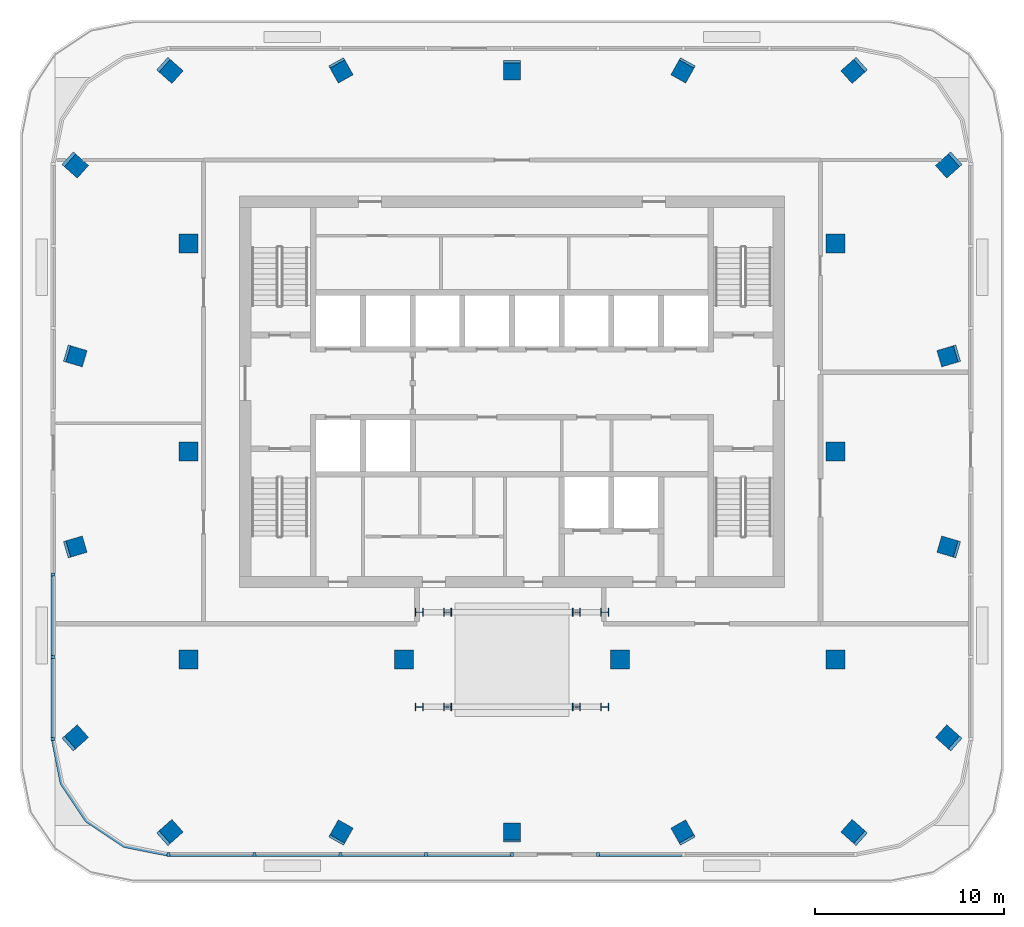
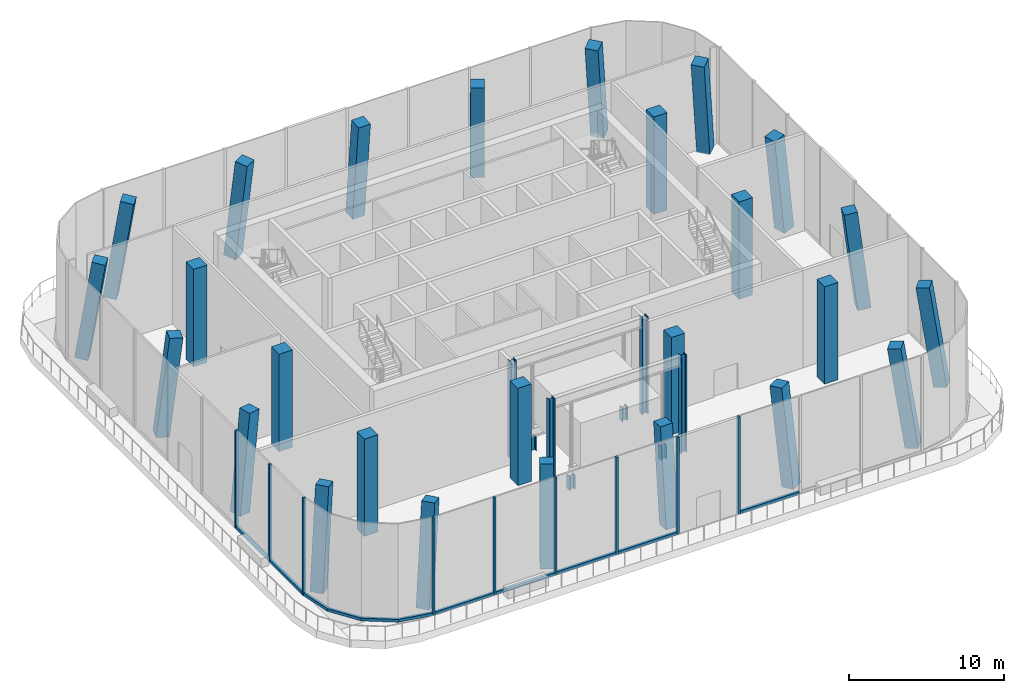
# One storey, part 1 of 13: 34 columns, 17 members, 4 elements without a shape of their own.
"""IFC4 building model written with IfcOpenShell, lengths in metres."""

from ifc_helpers import new_model, si_unit, direction, frame, origin, origin_2d, place, context, subcontext, project, spatial, polyline, rectangle, i_section, outline, extrude, material, material_profile, profile_set, type_object, element, aggregate, save


model = new_model("IFC4")

# Units and contexts
model_context = context("Model", 3, precision=1e-05, world=origin(), true_north=direction((0.0, 1.0)))
body_context = subcontext(model_context, "Body", "Model", "MODEL_VIEW")
ifc_project = project(units=[si_unit("LENGTHUNIT", "METRE"), si_unit("AREAUNIT", "SQUARE_METRE"), si_unit("VOLUMEUNIT", "CUBIC_METRE"), si_unit("PLANEANGLEUNIT", "RADIAN"), si_unit("MASSUNIT", "GRAM", prefix="KILO")], contexts=[model_context])

# Site, building, storey
site_placement = place(None, origin())
site = spatial("IfcSite", under=ifc_project, at=site_placement, CompositionType="ELEMENT")
building_placement = place(site_placement, origin())
building = spatial("IfcBuilding", under=site, at=building_placement, Name="Mopane Tessera Tower", CompositionType="ELEMENT")
storey_placement = place(building_placement, frame((0.0, 0.0, 337.39990234375)))
storey = spatial("IfcBuildingStorey", under=building, at=storey_placement, Name="L74", CompositionType="ELEMENT", Elevation=337.39990234375)

# Columns
ifc_material_1 = material(Name="Structural steel S460", Category="steel")
ifc_material_profile_1 = material_profile(ifc_material_1, i_section(OverallWidth=0.409912109375, OverallDepth=0.419921875, WebThickness=0.02099609375, FlangeThickness=0.03369140625, FilletRadius=0.02392578125, at=origin_2d()))
ifc_profile_set_1 = profile_set([ifc_material_profile_1], Name="Structural steel S460")
column_type_1 = type_object("IfcColumnType", Name="Damper support post HD 400 x 382", PredefinedType="COLUMN", material=ifc_profile_set_1)
for number, where, z_axis, x_axis, name in (
    (1, (-4.89990234375, -13.5, 0.0), (0.0, 0.0, 1.0), (0.0, 1.0, 0.0), "Damper support post 1"),
    (2, (-4.89990234375, -8.5, 0.0), (0.0, 0.0, 1.0), (0.0, 1.0, 0.0), "Damper support post 2"),
    (3, (4.89990234375, -13.5, 0.0), (0.0, 0.0, 1.0), (0.0, 1.0, 0.0), "Damper support post 3"),
    (4, (4.89990234375, -8.5, 0.0), (0.0, 0.0, 1.0), (0.0, 1.0, 0.0), "Damper support post 4"),
):
    element("IfcColumn", number, at=place(storey_placement, frame(where, z_axis=z_axis, x_axis=x_axis)), inside=storey, type_object=column_type_1, Name=name, PredefinedType="COLUMN", context=body_context, shape_type="SweptSolid", body=[
        extrude(i_section(OverallWidth=0.409912109375, OverallDepth=0.419921875, WebThickness=0.02099609375, FlangeThickness=0.03369140625, FilletRadius=0.02392578125, at=origin_2d()), origin(), (0.0, 0.0, 1.0), 7.650146484375),
    ])
for number, where, z_axis, x_axis, name in (
    (5, (-3.39990234375, -13.5, 0.0), (0.0, 0.0, 1.0), (0.0, 1.0, 0.0), "Damper bearing post 1"),
    (6, (-3.39990234375, -8.5, 0.0), (0.0, 0.0, 1.0), (0.0, 1.0, 0.0), "Damper bearing post 2"),
    (7, (3.39990234375, -13.5, 0.0), (0.0, 0.0, 1.0), (0.0, 1.0, 0.0), "Damper bearing post 3"),
    (8, (3.39990234375, -8.5, 0.0), (0.0, 0.0, 1.0), (0.0, 1.0, 0.0), "Damper bearing post 4"),
):
    element("IfcColumn", number, at=place(storey_placement, frame(where, z_axis=z_axis, x_axis=x_axis)), inside=storey, type_object=column_type_1, Name=name, PredefinedType="COLUMN", context=body_context, shape_type="SweptSolid", body=[
        extrude(i_section(OverallWidth=0.409912109375, OverallDepth=0.419921875, WebThickness=0.02099609375, FlangeThickness=0.03369140625, FilletRadius=0.02392578125, at=origin_2d()), origin(), (0.0, 0.0, 1.0), 1.10009765625),
    ])
ifc_material_2 = material(Name="Concrete C40/50", Category="concrete")
ifc_material_profile_2 = material_profile(ifc_material_2, rectangle(XDim=1.0, YDim=1.0, at=origin_2d()))
ifc_profile_set_2 = profile_set([ifc_material_profile_2], Name="Concrete C40/50")
column_type_2 = type_object("IfcColumnType", Name="Interior column 1000 x 1000 C40/50", PredefinedType="COLUMN", material=ifc_profile_set_2)
for number, where, z_axis, x_axis, name in (
    (9, (-17.10009765625, -11.0, 0.0), (0.0, 0.0, 1.0), (1.0, 0.0, 0.0), "Interior column I1A L74"),
    (10, (-17.10009765625, 0.0, 0.0), (0.0, 0.0, 1.0), (1.0, 0.0, 0.0), "Interior column I1B L74"),
    (11, (-17.10009765625, 11.0, 0.0), (0.0, 0.0, 1.0), (1.0, 0.0, 0.0), "Interior column I1C L74"),
    (12, (-5.699951171875, -11.0, 0.0), (0.0, 0.0, 1.0), (1.0, 0.0, 0.0), "Interior column I2A L74"),
    (13, (5.699951171875, -11.0, 0.0), (0.0, 0.0, 1.0), (1.0, 0.0, 0.0), "Interior column I3A L74"),
    (14, (17.10009765625, -11.0, 0.0), (0.0, 0.0, 1.0), (1.0, 0.0, 0.0), "Interior column I4A L74"),
    (15, (17.10009765625, 0.0, 0.0), (0.0, 0.0, 1.0), (1.0, 0.0, 0.0), "Interior column I4B L74"),
    (16, (17.10009765625, 11.0, 0.0), (0.0, 0.0, 1.0), (1.0, 0.0, 0.0), "Interior column I4C L74"),
):
    element("IfcColumn", number, at=place(storey_placement, frame(where, z_axis=z_axis, x_axis=x_axis)), inside=storey, type_object=column_type_2, Name=name, PredefinedType="COLUMN", context=body_context, shape_type="SweptSolid", body=[
        extrude(rectangle(XDim=1.0, YDim=1.0, at=origin_2d()), origin(), (0.0, 0.0, 1.0), 7.650146484375),
    ])
ifc_material_3 = material(Name="Concrete C40/50", Category="concrete")
ifc_material_profile_3 = material_profile(ifc_material_3, rectangle(XDim=0.89990234375, YDim=0.89990234375, at=origin_2d()))
ifc_profile_set_3 = profile_set([ifc_material_profile_3], Name="Concrete C40/50")
column_type_3 = type_object("IfcColumnType", Name="Ring column 900 x 900 C40/50", PredefinedType="COLUMN", material=ifc_profile_set_3)
column_1_placement = place(storey_placement, frame((-18.14990234375, -20.199951171875, 0.0), z_axis=(0.11124082268, 0.098901769724, 0.988859908842), x_axis=(-0.664442790981, 0.747339131528, 0.0)))
element("IfcColumn", 17, at=column_1_placement, inside=storey, type_object=column_type_3, Name="Ring column S0 L74", PredefinedType="COLUMN", context=body_context, shape_type="SweptSolid", body=[
    extrude(rectangle(XDim=0.89990234375, YDim=0.89990234375, at=origin_2d()), origin(), (0.0, 0.0, 1.0), 7.736328125),
])
column_2_placement = place(storey_placement, frame((-9.074951171875, -20.199951171875, 0.0), z_axis=(0.0558645223, 0.099364025475, 0.993481728866), x_axis=(-0.871679509172, 0.49007635455, 0.0)))
element("IfcColumn", 18, at=column_2_placement, inside=storey, type_object=column_type_3, Name="Ring column S1 L74", PredefinedType="COLUMN", context=body_context, shape_type="SweptSolid", body=[
    extrude(rectangle(XDim=0.89990234375, YDim=0.89990234375, at=origin_2d()), origin(), (0.0, 0.0, 1.0), 7.700439453125),
])
column_3_placement = place(storey_placement, frame((0.0, -20.199951171875, 0.0), z_axis=(0.0, 0.09951943919, 0.995035618068), x_axis=(-1.0, 0.0, 0.0)))
element("IfcColumn", 19, at=column_3_placement, inside=storey, type_object=column_type_3, Name="Ring column S2 L74", PredefinedType="COLUMN", context=body_context, shape_type="SweptSolid", body=[
    extrude(rectangle(XDim=0.89990234375, YDim=0.89990234375, at=origin_2d()), origin(), (0.0, 0.0, 1.0), 7.688232421875),
])
column_4_placement = place(storey_placement, frame((9.074951171875, -20.199951171875, 0.0), z_axis=(-0.0558645223, 0.099364025475, 0.993481728866), x_axis=(-0.871679509172, -0.49007635455, 0.0)))
element("IfcColumn", 20, at=column_4_placement, inside=storey, type_object=column_type_3, Name="Ring column S3 L74", PredefinedType="COLUMN", context=body_context, shape_type="SweptSolid", body=[
    extrude(rectangle(XDim=0.89990234375, YDim=0.89990234375, at=origin_2d()), origin(), (0.0, 0.0, 1.0), 7.700439453125),
])
for number, where, z_axis, x_axis, name in (
    (21, (18.14990234375, -20.199951171875, 0.0), (-0.11124082268, 0.098901769724, 0.988859908842), (-0.664442790981, -0.747339131528, 0.0), "Ring column S4 L74"),
    (22, (23.14990234375, -15.199951171875, 0.0), (-0.11124082268, 0.098901769724, 0.988859908842), (-0.664442790981, -0.747339131528, 0.0), "Ring column E0 L74"),
):
    element("IfcColumn", number, at=place(storey_placement, frame(where, z_axis=z_axis, x_axis=x_axis)), inside=storey, type_object=column_type_3, Name=name, PredefinedType="COLUMN", context=body_context, shape_type="SweptSolid", body=[
        extrude(rectangle(XDim=0.89990234375, YDim=0.89990234375, at=origin_2d()), origin(), (0.0, 0.0, 1.0), 7.736328125),
    ])
for number, where, z_axis, x_axis, name in (
    (23, (23.14990234375, -5.066650390625, 0.0), (-0.111727681357, 0.033090411159, 0.993187771727), (-0.283977191777, -0.958831035454, 0.0), "Ring column E1 L74"),
    (24, (23.14990234375, 5.066650390625, 0.0), (-0.111727681357, -0.033090411159, 0.993187771727), (0.283977191777, -0.958831035454, 0.0), "Ring column E2 L74"),
):
    element("IfcColumn", number, at=place(storey_placement, frame(where, z_axis=z_axis, x_axis=x_axis)), inside=storey, type_object=column_type_3, Name=name, PredefinedType="COLUMN", context=body_context, shape_type="SweptSolid", body=[
        extrude(rectangle(XDim=0.89990234375, YDim=0.89990234375, at=origin_2d()), origin(), (0.0, 0.0, 1.0), 7.70263671875),
    ])
for number, where, z_axis, x_axis, name in (
    (25, (23.14990234375, 15.199951171875, 0.0), (-0.11124082268, -0.098901769724, 0.988859908842), (0.664442790981, -0.747339131528, 0.0), "Ring column E3 L74"),
    (26, (18.14990234375, 20.199951171875, 0.0), (-0.11124082268, -0.098901769724, 0.988859908842), (0.664442790981, -0.747339131528, 0.0), "Ring column N0 L74"),
):
    element("IfcColumn", number, at=place(storey_placement, frame(where, z_axis=z_axis, x_axis=x_axis)), inside=storey, type_object=column_type_3, Name=name, PredefinedType="COLUMN", context=body_context, shape_type="SweptSolid", body=[
        extrude(rectangle(XDim=0.89990234375, YDim=0.89990234375, at=origin_2d()), origin(), (0.0, 0.0, 1.0), 7.736328125),
    ])
column_5_placement = place(storey_placement, frame((9.074951171875, 20.199951171875, 0.0), z_axis=(-0.0558645223, -0.099364025475, 0.993481728866), x_axis=(0.871679509172, -0.49007635455, 0.0)))
element("IfcColumn", 27, at=column_5_placement, inside=storey, type_object=column_type_3, Name="Ring column N1 L74", PredefinedType="COLUMN", context=body_context, shape_type="SweptSolid", body=[
    extrude(rectangle(XDim=0.89990234375, YDim=0.89990234375, at=origin_2d()), origin(), (0.0, 0.0, 1.0), 7.700439453125),
])
column_6_placement = place(storey_placement, frame((0.0, 20.199951171875, 0.0), z_axis=(0.0, -0.09951943919, 0.995035618068), x_axis=(1.0, 0.0, 0.0)))
element("IfcColumn", 28, at=column_6_placement, inside=storey, type_object=column_type_3, Name="Ring column N2 L74", PredefinedType="COLUMN", context=body_context, shape_type="SweptSolid", body=[
    extrude(rectangle(XDim=0.89990234375, YDim=0.89990234375, at=origin_2d()), origin(), (0.0, 0.0, 1.0), 7.688232421875),
])
column_7_placement = place(storey_placement, frame((-9.074951171875, 20.199951171875, 0.0), z_axis=(0.0558645223, -0.099364025475, 0.993481728866), x_axis=(0.871679509172, 0.49007635455, 0.0)))
element("IfcColumn", 29, at=column_7_placement, inside=storey, type_object=column_type_3, Name="Ring column N3 L74", PredefinedType="COLUMN", context=body_context, shape_type="SweptSolid", body=[
    extrude(rectangle(XDim=0.89990234375, YDim=0.89990234375, at=origin_2d()), origin(), (0.0, 0.0, 1.0), 7.700439453125),
])
for number, where, z_axis, x_axis, name in (
    (30, (-18.14990234375, 20.199951171875, 0.0), (0.11124082268, -0.098901769724, 0.988859908842), (0.664442790981, 0.747339131528, 0.0), "Ring column N4 L74"),
    (31, (-23.14990234375, 15.199951171875, 0.0), (0.11124082268, -0.098901769724, 0.988859908842), (0.664442790981, 0.747339131528, 0.0), "Ring column W0 L74"),
):
    element("IfcColumn", number, at=place(storey_placement, frame(where, z_axis=z_axis, x_axis=x_axis)), inside=storey, type_object=column_type_3, Name=name, PredefinedType="COLUMN", context=body_context, shape_type="SweptSolid", body=[
        extrude(rectangle(XDim=0.89990234375, YDim=0.89990234375, at=origin_2d()), origin(), (0.0, 0.0, 1.0), 7.736328125),
    ])
for number, where, z_axis, x_axis, name in (
    (32, (-23.14990234375, 5.066650390625, 0.0), (0.111727681357, -0.033090411159, 0.993187771727), (0.283977191777, 0.958831035454, 0.0), "Ring column W1 L74"),
    (33, (-23.14990234375, -5.066650390625, 0.0), (0.111727681357, 0.033090411159, 0.993187771727), (-0.283977191777, 0.958831035454, 0.0), "Ring column W2 L74"),
):
    element("IfcColumn", number, at=place(storey_placement, frame(where, z_axis=z_axis, x_axis=x_axis)), inside=storey, type_object=column_type_3, Name=name, PredefinedType="COLUMN", context=body_context, shape_type="SweptSolid", body=[
        extrude(rectangle(XDim=0.89990234375, YDim=0.89990234375, at=origin_2d()), origin(), (0.0, 0.0, 1.0), 7.70263671875),
    ])
column_8_placement = place(storey_placement, frame((-23.14990234375, -15.199951171875, 0.0), z_axis=(0.11124082268, 0.098901769724, 0.988859908842), x_axis=(-0.664442790981, 0.747339131528, 0.0)))
element("IfcColumn", 34, at=column_8_placement, inside=storey, type_object=column_type_3, Name="Ring column W3 L74", PredefinedType="COLUMN", context=body_context, shape_type="SweptSolid", body=[
    extrude(rectangle(XDim=0.89990234375, YDim=0.89990234375, at=origin_2d()), origin(), (0.0, 0.0, 1.0), 7.736328125),
])

# Curtain wall, members
ifc_material_4 = material(Name="Aluminium frame", Category="aluminium")
curtain_wall_type = type_object("IfcCurtainWallType", Name="Damper floor unitised wall", PredefinedType="NOTDEFINED", material=ifc_material_4)
curtain_wall_1_placement = place(storey_placement, origin())
curtain_wall_1 = element("IfcCurtainWall", 35, at=curtain_wall_1_placement, inside=storey, type_object=curtain_wall_type, Name="e:cw:L74:S:0", PredefinedType="NOTDEFINED")
ifc_material_5 = material(Name="Aluminium frame", Category="aluminium")
ifc_material_profile_4 = material_profile(ifc_material_5, rectangle(XDim=0.159912109375, YDim=0.199951171875, at=origin_2d()))
ifc_profile_set_4 = profile_set([ifc_material_profile_4], Name="Aluminium frame")
member_type_1 = type_object("IfcMemberType", Name="Aluminium mullion 160 x 200", PredefinedType="MULLION", material=ifc_profile_set_4)
member_1_placement = place(storey_placement, frame((-18.14990234375, -21.300048828125, 0.0), z_axis=(0.0, 0.0, 1.0), x_axis=(1.0, 0.0, 0.0)))
member_1 = element("IfcMember", 36, at=member_1_placement, type_object=member_type_1, Name="e:cw:L74:S:0:mu0", PredefinedType="MULLION", context=body_context, shape_type="SweptSolid", body=[
    extrude(rectangle(XDim=0.159912109375, YDim=0.199951171875, at=origin_2d()), origin(), (0.0, 0.0, 1.0), 7.650146484375),
])
member_2_placement = place(storey_placement, frame((-13.612548828125, -21.300048828125, 0.0), z_axis=(0.0, 0.0, 1.0), x_axis=(1.0, 0.0, 0.0)))
member_2 = element("IfcMember", 37, at=member_2_placement, type_object=member_type_1, Name="e:cw:L74:S:0:mu1", PredefinedType="MULLION", context=body_context, shape_type="SweptSolid", body=[
    extrude(rectangle(XDim=0.159912109375, YDim=0.199951171875, at=origin_2d()), origin(), (0.0, 0.0, 1.0), 7.650146484375),
])
member_3_placement = place(storey_placement, frame((-9.074951171875, -21.300048828125, 0.0), z_axis=(0.0, 0.0, 1.0), x_axis=(1.0, 0.0, 0.0)))
member_3 = element("IfcMember", 38, at=member_3_placement, type_object=member_type_1, Name="e:cw:L74:S:0:mu2", PredefinedType="MULLION", context=body_context, shape_type="SweptSolid", body=[
    extrude(rectangle(XDim=0.159912109375, YDim=0.199951171875, at=origin_2d()), origin(), (0.0, 0.0, 1.0), 7.650146484375),
])
member_4_placement = place(storey_placement, frame((-4.53759765625, -21.300048828125, 0.0), z_axis=(0.0, 0.0, 1.0), x_axis=(1.0, 0.0, 0.0)))
member_4 = element("IfcMember", 39, at=member_4_placement, type_object=member_type_1, Name="e:cw:L74:S:0:mu3", PredefinedType="MULLION", context=body_context, shape_type="SweptSolid", body=[
    extrude(rectangle(XDim=0.159912109375, YDim=0.199951171875, at=origin_2d()), origin(), (0.0, 0.0, 1.0), 7.650146484375),
])
member_5_placement = place(storey_placement, frame((0.0, -21.300048828125, 0.0), z_axis=(0.0, 0.0, 1.0), x_axis=(1.0, 0.0, 0.0)))
member_5 = element("IfcMember", 40, at=member_5_placement, type_object=member_type_1, Name="e:cw:L74:S:0:mu4", PredefinedType="MULLION", context=body_context, shape_type="SweptSolid", body=[
    extrude(rectangle(XDim=0.159912109375, YDim=0.199951171875, at=origin_2d()), origin(), (0.0, 0.0, 1.0), 7.650146484375),
])

# Curtain wall, member
curtain_wall_2_placement = place(storey_placement, origin())
curtain_wall_2 = element("IfcCurtainWall", 41, at=curtain_wall_2_placement, inside=storey, type_object=curtain_wall_type, Name="e:cw:L74:S:5", PredefinedType="NOTDEFINED")
member_6_placement = place(storey_placement, frame((4.53759765625, -21.300048828125, 0.0), z_axis=(0.0, 0.0, 1.0), x_axis=(1.0, 0.0, 0.0)))
member_6 = element("IfcMember", 42, at=member_6_placement, type_object=member_type_1, Name="e:cw:L74:S:5:mu5", PredefinedType="MULLION", context=body_context, shape_type="SweptSolid", body=[
    extrude(rectangle(XDim=0.159912109375, YDim=0.199951171875, at=origin_2d()), origin(), (0.0, 0.0, 1.0), 7.650146484375),
])

# Curtain wall, members
curtain_wall_3_placement = place(storey_placement, origin())
curtain_wall_3 = element("IfcCurtainWall", 43, at=curtain_wall_3_placement, inside=storey, type_object=curtain_wall_type, Name="e:cw:L74:W:4", PredefinedType="NOTDEFINED")
member_7_placement = place(storey_placement, frame((-24.25, -6.514404296875, 0.0), z_axis=(0.0, 0.0, 1.0), x_axis=(0.0, -1.0, 0.0)))
member_7 = element("IfcMember", 44, at=member_7_placement, type_object=member_type_1, Name="e:cw:L74:W:4:mu5", PredefinedType="MULLION", context=body_context, shape_type="SweptSolid", body=[
    extrude(rectangle(XDim=0.159912109375, YDim=0.199951171875, at=origin_2d()), origin(), (0.0, 0.0, 1.0), 7.650146484375),
])
member_8_placement = place(storey_placement, frame((-24.25, -10.857177734375, 0.0), z_axis=(0.0, 0.0, 1.0), x_axis=(0.0, -1.0, 0.0)))
member_8 = element("IfcMember", 45, at=member_8_placement, type_object=member_type_1, Name="e:cw:L74:W:4:mu6", PredefinedType="MULLION", context=body_context, shape_type="SweptSolid", body=[
    extrude(rectangle(XDim=0.159912109375, YDim=0.199951171875, at=origin_2d()), origin(), (0.0, 0.0, 1.0), 7.650146484375),
])
member_9_placement = place(storey_placement, frame((-24.25, -15.199951171875, 0.0), z_axis=(0.0, 0.0, 1.0), x_axis=(0.0, -1.0, 0.0)))
member_9 = element("IfcMember", 46, at=member_9_placement, type_object=member_type_1, Name="e:cw:L74:W:4:mu7", PredefinedType="MULLION", context=body_context, shape_type="SweptSolid", body=[
    extrude(rectangle(XDim=0.159912109375, YDim=0.199951171875, at=origin_2d()), origin(), (0.0, 0.0, 1.0), 7.650146484375),
])

# Member
ifc_material_6 = material(Name="Aluminium frame", Category="aluminium")
ifc_material_profile_5 = material_profile(ifc_material_6, rectangle(XDim=0.199951171875, YDim=0.219970703125, at=origin_2d()))
ifc_profile_set_5 = profile_set([ifc_material_profile_5], Name="Aluminium frame")
member_type_2 = type_object("IfcMemberType", Name="Aluminium transom 200 x 220", PredefinedType="USERDEFINED", material=ifc_profile_set_5)
member_10_placement = place(storey_placement, frame((-18.070068359375, -21.300048828125, 0.110107421875), z_axis=(1.0, 0.0, 0.0), x_axis=(0.0, 1.0, 0.0)))
member_10 = element("IfcMember", 47, at=member_10_placement, type_object=member_type_2, Name="e:cw:L74:S:0:tr0", ObjectType="TRANSOM", PredefinedType="USERDEFINED", context=body_context, shape_type="SweptSolid", body=[
    extrude(rectangle(XDim=0.199951171875, YDim=0.219970703125, at=origin_2d()), origin(), (0.0, 0.0, 1.0), 4.377685546875),
])

member_11_placement = place(storey_placement, frame((-13.532470703125, -21.300048828125, 0.110107421875), z_axis=(1.0, 0.0, 0.0), x_axis=(0.0, 1.0, 0.0)))
member_11 = element("IfcMember", 48, at=member_11_placement, type_object=member_type_2, Name="e:cw:L74:S:0:tr1", ObjectType="TRANSOM", PredefinedType="USERDEFINED", context=body_context, shape_type="SweptSolid", body=[
    extrude(rectangle(XDim=0.199951171875, YDim=0.219970703125, at=origin_2d()), origin(), (0.0, 0.0, 1.0), 4.37744140625),
])

member_12_placement = place(storey_placement, frame((-8.9951171875, -21.300048828125, 0.110107421875), z_axis=(1.0, 0.0, 0.0), x_axis=(0.0, 1.0, 0.0)))
member_12 = element("IfcMember", 49, at=member_12_placement, type_object=member_type_2, Name="e:cw:L74:S:0:tr2", ObjectType="TRANSOM", PredefinedType="USERDEFINED", context=body_context, shape_type="SweptSolid", body=[
    extrude(rectangle(XDim=0.199951171875, YDim=0.219970703125, at=origin_2d()), origin(), (0.0, 0.0, 1.0), 4.377685546875),
])

member_13_placement = place(storey_placement, frame((-4.45751953125, -21.300048828125, 0.110107421875), z_axis=(1.0, 0.0, 0.0), x_axis=(0.0, 1.0, 0.0)))
member_13 = element("IfcMember", 50, at=member_13_placement, type_object=member_type_2, Name="e:cw:L74:S:0:tr3", ObjectType="TRANSOM", PredefinedType="USERDEFINED", context=body_context, shape_type="SweptSolid", body=[
    extrude(rectangle(XDim=0.199951171875, YDim=0.219970703125, at=origin_2d()), origin(), (0.0, 0.0, 1.0), 4.37744140625),
])

aggregate(curtain_wall_1, [member_1, member_2, member_3, member_4, member_5, member_10, member_11, member_12, member_13])

member_14_placement = place(storey_placement, frame((4.617431640625, -21.300048828125, 0.110107421875), z_axis=(1.0, 0.0, 0.0), x_axis=(0.0, 1.0, 0.0)))
member_14 = element("IfcMember", 51, at=member_14_placement, type_object=member_type_2, Name="e:cw:L74:S:5:tr5", ObjectType="TRANSOM", PredefinedType="USERDEFINED", context=body_context, shape_type="SweptSolid", body=[
    extrude(rectangle(XDim=0.199951171875, YDim=0.219970703125, at=origin_2d()), origin(), (0.0, 0.0, 1.0), 4.377685546875),
])

aggregate(curtain_wall_2, [member_6, member_14])

member_15_placement = place(storey_placement, frame((-24.25, -6.59423828125, 0.110107421875), z_axis=(0.0, -1.0, 0.0), x_axis=(1.0, 0.0, 0.0)))
member_15 = element("IfcMember", 52, at=member_15_placement, type_object=member_type_2, Name="e:cw:L74:W:4:tr5", ObjectType="TRANSOM", PredefinedType="USERDEFINED", context=body_context, shape_type="SweptSolid", body=[
    extrude(rectangle(XDim=0.199951171875, YDim=0.219970703125, at=origin_2d()), origin(), (0.0, 0.0, 1.0), 4.182861328125),
])

member_16_placement = place(storey_placement, frame((-24.25, -10.937255859375, 0.110107421875), z_axis=(0.0, -1.0, 0.0), x_axis=(1.0, 0.0, 0.0)))
member_16 = element("IfcMember", 53, at=member_16_placement, type_object=member_type_2, Name="e:cw:L74:W:4:tr6", ObjectType="TRANSOM", PredefinedType="USERDEFINED", context=body_context, shape_type="SweptSolid", body=[
    extrude(rectangle(XDim=0.199951171875, YDim=0.219970703125, at=origin_2d()), origin(), (0.0, 0.0, 1.0), 4.182861328125),
])

aggregate(curtain_wall_3, [member_7, member_8, member_9, member_15, member_16])

# Curtain wall, member
curtain_wall_4_placement = place(storey_placement, origin())
curtain_wall_4 = element("IfcCurtainWall", 54, at=curtain_wall_4_placement, inside=storey, type_object=curtain_wall_type, Name="e:cw:L74:CW", PredefinedType="NOTDEFINED")
member_17_placement = place(storey_placement, origin())
member_17 = element("IfcMember", 55, at=member_17_placement, type_object=member_type_2, Name="e:cw:L74:CW:tr", ObjectType="TRANSOM", PredefinedType="USERDEFINED", context=body_context, shape_type="SweptSolid", body=[
    extrude(outline(polyline([(-24.14990234375, -15.199951171875), (-23.693359375, -17.49609375), (-22.392578125, -19.442626953125), (-20.446044921875, -20.7431640625), (-18.14990234375, -21.199951171875), (-18.14990234375, -21.39990234375), (-20.522705078125, -20.927978515625), (-22.5341796875, -19.583984375), (-23.878173828125, -17.57275390625), (-24.35009765625, -15.199951171875), (-24.14990234375, -15.199951171875)])), origin(), (0.0, 0.0, 1.0), 0.22021484375),
])
aggregate(curtain_wall_4, [member_17])

save(model, "model.ifc")
